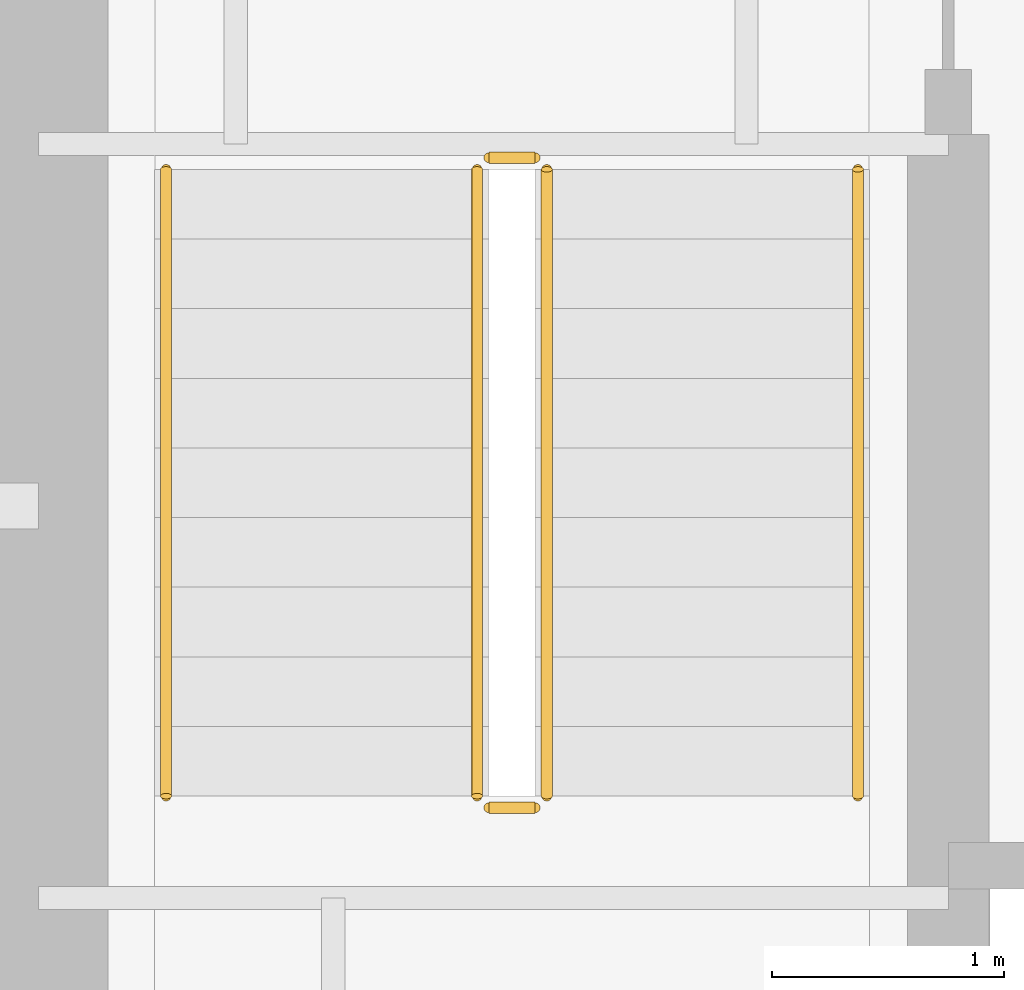
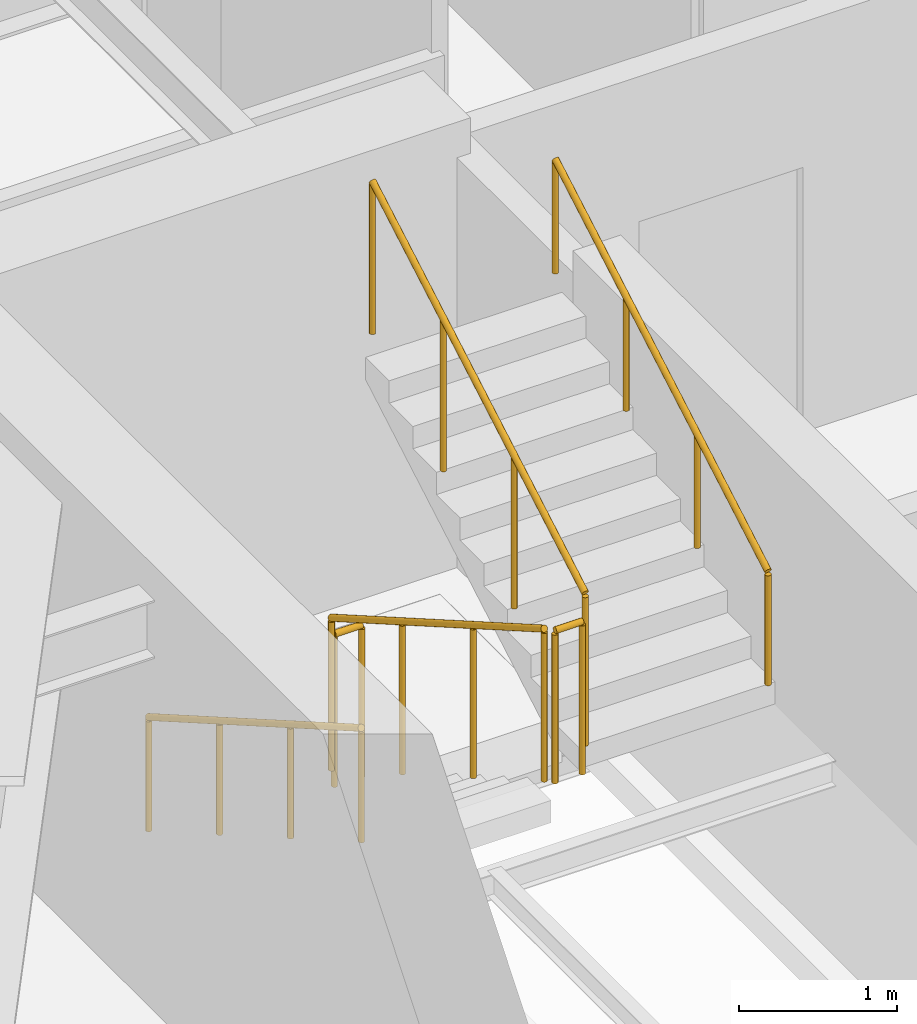
# One storey, part 13 of 17: 6 railings.
"""IFC4 building model written with IfcOpenShell, lengths in metres."""

import ifcopenshell
import ifcopenshell.guid

model = None  # the IFC model being written
_history = None  # IfcOwnerHistory: only IFC2X3 demands one
_inside = {}  # id of a spatial element -> (the spatial element, [elements in it])
_under = {}  # id of a project, library or spatial element -> (it, [spatial elements below it])
_declared = {}  # id of a project -> (the project, [libraries it declares])
_typed = {}  # id of a type object -> (the type object, [elements of that type])
_made_of = {}  # id of a material, layer set ... -> (it, [elements and type objects made of it])


def new_model(schema):
    """Start an empty IFC model of exactly this schema.

    Asked for "IFC4X3", IfcOpenShell would pick the latest addendum, in which some entities
    have other attributes; the version numbers below select the first issue.
    IFC2X3 requires an IfcOwnerHistory on every rooted entity: one is made here for all.
    """
    global model, _history
    if schema == "IFC4X3":
        model = ifcopenshell.file(schema_version=(4, 3, 0, 0))
    else:
        model = ifcopenshell.file(schema=schema)
    _inside.clear()
    _under.clear()
    _declared.clear()
    _typed.clear()
    _made_of.clear()
    _history = None
    if model.schema == "IFC2X3":
        org = make("IfcOrganization", Name="unknown")
        user = make(
            "IfcPersonAndOrganization",
            ThePerson=make("IfcPerson", FamilyName="unknown"),
            TheOrganization=org,
        )
        app = make(
            "IfcApplication",
            ApplicationDeveloper=org,
            Version="unknown",
            ApplicationFullName="unknown",
            ApplicationIdentifier="unknown",
        )
        _history = make(
            "IfcOwnerHistory",
            OwningUser=user,
            OwningApplication=app,
            ChangeAction="ADDED",
            CreationDate=0,
        )
    return model


def make(cls, **values):
    """One entity of the class cls with the attributes given. An attribute that is None is left unset."""
    return model.create_entity(
        cls, **{name: value for name, value in values.items() if value is not None}
    )


def rooted(cls, **values):
    """An entity with a GlobalId (a new one), such as an element, a storey or a relation."""
    return make(cls, GlobalId=ifcopenshell.guid.new(), OwnerHistory=_history, **values)


def si_unit(unit_type, name, prefix=None):
    """IfcSIUnit, for example si_unit("LENGTHUNIT", "METRE", prefix="MILLI")."""
    return make("IfcSIUnit", UnitType=unit_type, Prefix=prefix, Name=name)


def assignment(units):
    """IfcUnitAssignment: the units of a project."""
    return None if units is None else make("IfcUnitAssignment", Units=units)


def point(xyz):
    """IfcCartesianPoint."""
    return None if xyz is None else make("IfcCartesianPoint", Coordinates=xyz)


def direction(xyz):
    """IfcDirection."""
    return None if xyz is None else make("IfcDirection", DirectionRatios=xyz)


def frame(location, z_axis=None, x_axis=None):
    """IfcAxis2Placement3D, a coordinate frame: its origin and axes. An axis left out is left unset."""
    return make(
        "IfcAxis2Placement3D",
        Location=point(location),
        Axis=direction(z_axis),
        RefDirection=direction(x_axis),
    )


def frame_2d(location, x_axis=None):
    """IfcAxis2Placement2D, a coordinate frame in the plane: its origin and x axis."""
    return make(
        "IfcAxis2Placement2D", Location=point(location), RefDirection=direction(x_axis)
    )


def origin():
    """The frame at (0, 0, 0) with its axes left unset."""
    return frame((0.0, 0.0, 0.0))


def origin_2d():
    """The frame at (0, 0) in the plane with its x axis left unset."""
    return frame_2d((0.0, 0.0))


def place(relative_to, where):
    """IfcLocalPlacement: puts the frame where relative to a parent placement (None: the world)."""
    return make(
        "IfcLocalPlacement", PlacementRelTo=relative_to, RelativePlacement=where
    )


def context(
    kind, dimensions, precision=None, world=None, true_north=None, identifier=None
):
    """IfcGeometricRepresentationContext, for example the 3D "Model" context."""
    return make(
        "IfcGeometricRepresentationContext",
        ContextIdentifier=identifier,
        ContextType=kind,
        CoordinateSpaceDimension=dimensions,
        Precision=precision,
        WorldCoordinateSystem=world,
        TrueNorth=true_north,
    )


def subcontext(parent, identifier, kind, view, scale=None):
    """IfcGeometricRepresentationSubContext, for example "Body" below "Model"."""
    return make(
        "IfcGeometricRepresentationSubContext",
        ContextIdentifier=identifier,
        ContextType=kind,
        ParentContext=parent,
        TargetScale=scale,
        TargetView=view,
    )


def project(units=None, contexts=None):
    """IfcProject with its units and contexts."""
    return rooted(
        "IfcProject",
        Name="project",
        RepresentationContexts=contexts,
        UnitsInContext=assignment(units),
    )


def spatial(cls, under=None, at=None, **own):
    """A site, building, storey or space (cls), placed at a placement, below another one or the project."""
    s = rooted(cls, ObjectPlacement=at, **own)
    if under is not None:
        _under.setdefault(under.id(), (under, []))[1].append(s)
    return s


def profile(cls, at=None, kind="AREA", **sizes):
    """A parametric profile (cls). Its sizes go by their IFC names, for example OverallWidth=200.0."""
    return make(cls, ProfileType=kind, Position=at, **sizes)


def circle(**sizes):
    """IfcCircleProfileDef."""
    return profile("IfcCircleProfileDef", **sizes)


def extrude(swept, where, along, depth):
    """IfcExtrudedAreaSolid: the profile swept, set in the frame where, extruded along a direction by depth."""
    return make(
        "IfcExtrudedAreaSolid",
        SweptArea=swept,
        Position=where,
        ExtrudedDirection=direction(along),
        Depth=depth,
    )


def shape(context_of_items, identifier, shape_type, items):
    """IfcShapeRepresentation: the items that make up one representation, for example the "Body"."""
    return make(
        "IfcShapeRepresentation",
        ContextOfItems=context_of_items,
        RepresentationIdentifier=identifier,
        RepresentationType=shape_type,
        Items=items,
    )


def material(Name=None, Category=None):
    """IfcMaterial."""
    return make("IfcMaterial", Name=Name, Category=Category)


def made_of(thing, what):
    """Note that an element or type object is made of a material, layer set ...; save() writes the relation."""
    if what is not None:
        _made_of.setdefault(what.id(), (what, []))[1].append(thing)
    return thing


def type_object(cls, material=None, **own):
    """A type object (cls), such as IfcWallType, which elements share."""
    return made_of(rooted(cls, **own), material)


def element(
    cls,
    number,
    at=None,
    inside=None,
    cuts=None,
    type_object=None,
    material=None,
    context=None,
    identifier="Body",
    shape_type=None,
    held_by="IfcProductDefinitionShape",
    body=None,
    shapes=None,
    **own,
):
    """One element of the class cls, such as IfcWall. Its Tag is "e" and its number.

    at: its placement. inside: the storey or other place that contains it. cuts: it is an
    opening in that element (IfcRelVoidsElement). A single representation is given by context,
    identifier, shape_type and body (its items); several are given by shapes. held_by: the class
    of the entity that holds the representations. save() writes the other relations.
    """
    e = rooted(cls, Tag="e%d" % number, ObjectPlacement=at, **own)
    if body is not None:
        shapes = [shape(context, identifier, shape_type, body)]
    if shapes is not None:
        e.Representation = make(held_by, Representations=shapes)
    if inside is not None:
        _inside.setdefault(inside.id(), (inside, []))[1].append(e)
    if cuts is not None:
        rooted(
            "IfcRelVoidsElement", RelatingBuildingElement=cuts, RelatedOpeningElement=e
        )
    if type_object is not None:
        _typed.setdefault(type_object.id(), (type_object, []))[1].append(e)
    return made_of(e, material)


def aggregate(whole, parts):
    """IfcRelAggregates: a whole, such as a stair, and the parts it consists of."""
    return rooted("IfcRelAggregates", RelatingObject=whole, RelatedObjects=parts)


def save(model, path):
    """Write the relations noted so far, then the file.

    IfcRelAggregates (storeys below a building ...), IfcRelContainedInSpatialStructure (elements
    in a storey), IfcRelDefinesByType, IfcRelAssociatesMaterial and IfcRelDeclares: one each for
    every whole, place, type object, material and project.
    """
    for whole, parts in _under.values():
        aggregate(whole, parts)
    for where, things in _inside.values():
        rooted(
            "IfcRelContainedInSpatialStructure",
            RelatedElements=things,
            RelatingStructure=where,
        )
    for kind, things in _typed.values():
        rooted("IfcRelDefinesByType", RelatedObjects=things, RelatingType=kind)
    for what, things in _made_of.values():
        rooted("IfcRelAssociatesMaterial", RelatedObjects=things, RelatingMaterial=what)
    for by, libraries in _declared.values():
        rooted("IfcRelDeclares", RelatingContext=by, RelatedDefinitions=libraries)
    model.write(path)


model = new_model("IFC4")

# Units and contexts
model_context = context("Model", 3, precision=1e-05, world=origin(), true_north=direction((0.0, 1.0)))
body_context = subcontext(model_context, "Body", "Model", "MODEL_VIEW")
ifc_project = project(units=[si_unit("LENGTHUNIT", "METRE"), si_unit("AREAUNIT", "SQUARE_METRE"), si_unit("VOLUMEUNIT", "CUBIC_METRE"), si_unit("PLANEANGLEUNIT", "RADIAN"), si_unit("MASSUNIT", "GRAM", prefix="KILO")], contexts=[model_context])

# Site, building, storey
site_placement = place(None, origin())
site = spatial("IfcSite", under=ifc_project, at=site_placement, CompositionType="ELEMENT")
building_placement = place(site_placement, origin())
building = spatial("IfcBuilding", under=site, at=building_placement, Name="Qiaolan Cultural Towers", CompositionType="ELEMENT")
storey_placement = place(building_placement, frame((0.0, 0.0, 156.39990234375)))
storey = spatial("IfcBuildingStorey", under=building, at=storey_placement, Name="L41", CompositionType="ELEMENT", Elevation=156.39990234375)

# Railings
ifc_material_1 = material(Name="Galvanized Painted Steel Stair Guardrail", Category="steel")
railing_type_1 = type_object("IfcRailingType", Name="RL-STAIR-GRD", PredefinedType="GUARDRAIL", material=ifc_material_1)
railing_1_placement = place(storey_placement, frame((23.68994140625, 19.550048828125, 0.172607421875)))
element("IfcRailing", 1, at=railing_1_placement, inside=storey, type_object=railing_type_1, Name="L41 ST-W1 stair guard 1", PredefinedType="GUARDRAIL", context=body_context, shape_type="SweptSolid", body=[
    extrude(circle(Radius=0.02392578125, at=origin_2d()), frame((0.0, 0.0, 1.17578125), z_axis=(0.0, -0.866903762492, 0.498475542607), x_axis=(1.0, 0.0, 0.0)), (0.0, 0.0, 1.0), 3.114501953125),
    extrude(circle(Radius=0.02099609375, at=origin_2d()), origin(), (0.0, 0.0, 1.0), 1.15185546875),
    extrude(circle(Radius=0.02099609375, at=origin_2d()), frame((0.0, -0.89990234375, 0.517578125)), (0.0, 0.0, 1.0), 1.15185546875),
    extrude(circle(Radius=0.02099609375, at=origin_2d()), frame((0.0, -1.800048828125, 1.034912109375)), (0.0, 0.0, 1.0), 1.15185546875),
    extrude(circle(Radius=0.02099609375, at=origin_2d()), frame((0.0, -2.699951171875, 1.552490234375)), (0.0, 0.0, 1.0), 1.15185546875),
])
railing_2_placement = place(storey_placement, frame((23.739990234375, 16.800048828125, 1.72509765625)))
element("IfcRailing", 2, at=railing_2_placement, inside=storey, type_object=railing_type_1, Name="L41 ST-W1 stair guard 2", PredefinedType="GUARDRAIL", context=body_context, shape_type="SweptSolid", body=[
    extrude(circle(Radius=0.02392578125, at=origin_2d()), frame((0.0, 0.0, 1.17578125), z_axis=(1.0, 0.0, 0.0), x_axis=(0.0, 1.0, 0.0)), (0.0, 0.0, 1.0), 0.199951171875),
    extrude(circle(Radius=0.02099609375, at=origin_2d()), origin(), (0.0, 0.0, 1.0), 1.15185546875),
    extrude(circle(Radius=0.02099609375, at=origin_2d()), frame((0.199951171875, 0.0, 0.0)), (0.0, 0.0, 1.0), 1.15185546875),
])
railing_3_placement = place(storey_placement, frame((23.989990234375, 16.85009765625, 1.897705078125)))
element("IfcRailing", 3, at=railing_3_placement, inside=storey, type_object=railing_type_1, Name="L41 ST-W1 stair guard 3", PredefinedType="GUARDRAIL", context=body_context, shape_type="SweptSolid", body=[
    extrude(circle(Radius=0.02392578125, at=origin_2d()), frame((0.0, 0.0, 1.17578125), z_axis=(0.0, 0.866903762492, 0.498475542607), x_axis=(-1.0, 0.0, 0.0)), (0.0, 0.0, 1.0), 3.114501953125),
    extrude(circle(Radius=0.02099609375, at=origin_2d()), origin(), (0.0, 0.0, 1.0), 1.15185546875),
    extrude(circle(Radius=0.02099609375, at=origin_2d()), frame((0.0, 0.89990234375, 0.517578125)), (0.0, 0.0, 1.0), 1.15185546875),
    extrude(circle(Radius=0.02099609375, at=origin_2d()), frame((0.0, 1.800048828125, 1.034912109375)), (0.0, 0.0, 1.0), 1.15185546875),
    extrude(circle(Radius=0.02099609375, at=origin_2d()), frame((0.0, 2.699951171875, 1.552490234375)), (0.0, 0.0, 1.0), 1.15185546875),
])
railing_4_placement = place(storey_placement, frame((23.739990234375, 19.60009765625, 0.0)))
element("IfcRailing", 4, at=railing_4_placement, inside=storey, type_object=railing_type_1, Name="L41 ST-W1 stair guard 4", PredefinedType="GUARDRAIL", context=body_context, shape_type="SweptSolid", body=[
    extrude(circle(Radius=0.02392578125, at=origin_2d()), frame((0.0, 0.0, 1.17578125), z_axis=(1.0, 0.0, 0.0), x_axis=(0.0, 1.0, 0.0)), (0.0, 0.0, 1.0), 0.199951171875),
    extrude(circle(Radius=0.02099609375, at=origin_2d()), origin(), (0.0, 0.0, 1.0), 1.15185546875),
    extrude(circle(Radius=0.02099609375, at=origin_2d()), frame((0.199951171875, 0.0, 0.0)), (0.0, 0.0, 1.0), 1.15185546875),
])
ifc_material_2 = material(Name="Stainless Steel S30408 Tubular Handrail", Category="steel")
railing_type_2 = type_object("IfcRailingType", Name="RL-STAIR-HR", PredefinedType="HANDRAIL", material=ifc_material_2)
railing_5_placement = place(storey_placement, frame((22.35009765625, 19.550048828125, 0.172607421875)))
element("IfcRailing", 5, at=railing_5_placement, inside=storey, type_object=railing_type_2, Name="L41 ST-W1 stair handrail 1", PredefinedType="HANDRAIL", context=body_context, shape_type="SweptSolid", body=[
    extrude(circle(Radius=0.02392578125, at=origin_2d()), frame((0.0, 0.0, 0.8759765625), z_axis=(0.0, -0.866903762492, 0.498475542607), x_axis=(1.0, 0.0, 0.0)), (0.0, 0.0, 1.0), 3.114501953125),
    extrude(circle(Radius=0.02099609375, at=origin_2d()), origin(), (0.0, 0.0, 1.0), 0.851806640625),
    extrude(circle(Radius=0.02099609375, at=origin_2d()), frame((0.0, -0.89990234375, 0.517578125)), (0.0, 0.0, 1.0), 0.851806640625),
    extrude(circle(Radius=0.02099609375, at=origin_2d()), frame((0.0, -1.800048828125, 1.034912109375)), (0.0, 0.0, 1.0), 0.851806640625),
    extrude(circle(Radius=0.02099609375, at=origin_2d()), frame((0.0, -2.699951171875, 1.552490234375)), (0.0, 0.0, 1.0), 0.851806640625),
])
railing_6_placement = place(storey_placement, frame((25.330078125, 16.85009765625, 1.897705078125)))
element("IfcRailing", 6, at=railing_6_placement, inside=storey, type_object=railing_type_2, Name="L41 ST-W1 stair handrail 2", PredefinedType="HANDRAIL", context=body_context, shape_type="SweptSolid", body=[
    extrude(circle(Radius=0.02392578125, at=origin_2d()), frame((0.0, 0.0, 0.8759765625), z_axis=(0.0, 0.866903762492, 0.498475542607), x_axis=(-1.0, 0.0, 0.0)), (0.0, 0.0, 1.0), 3.114501953125),
    extrude(circle(Radius=0.02099609375, at=origin_2d()), origin(), (0.0, 0.0, 1.0), 0.851806640625),
    extrude(circle(Radius=0.02099609375, at=origin_2d()), frame((0.0, 0.89990234375, 0.517578125)), (0.0, 0.0, 1.0), 0.851806640625),
    extrude(circle(Radius=0.02099609375, at=origin_2d()), frame((0.0, 1.800048828125, 1.034912109375)), (0.0, 0.0, 1.0), 0.851806640625),
    extrude(circle(Radius=0.02099609375, at=origin_2d()), frame((0.0, 2.699951171875, 1.552490234375)), (0.0, 0.0, 1.0), 0.851806640625),
])

save(model, "model.ifc")
